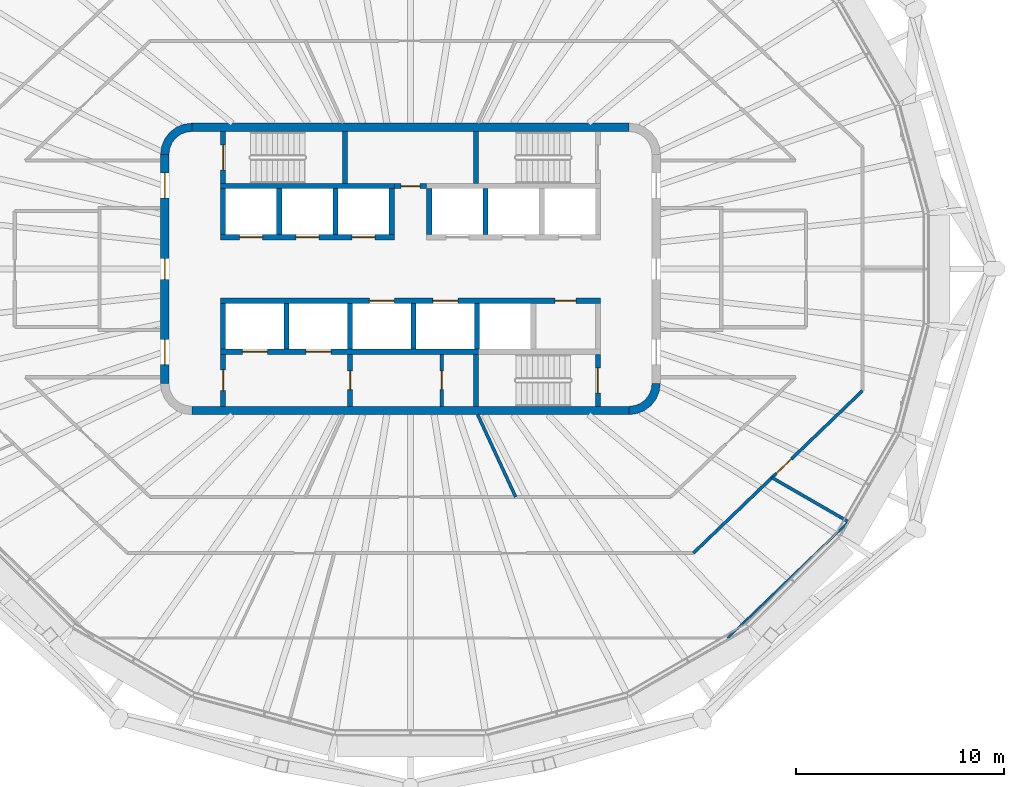
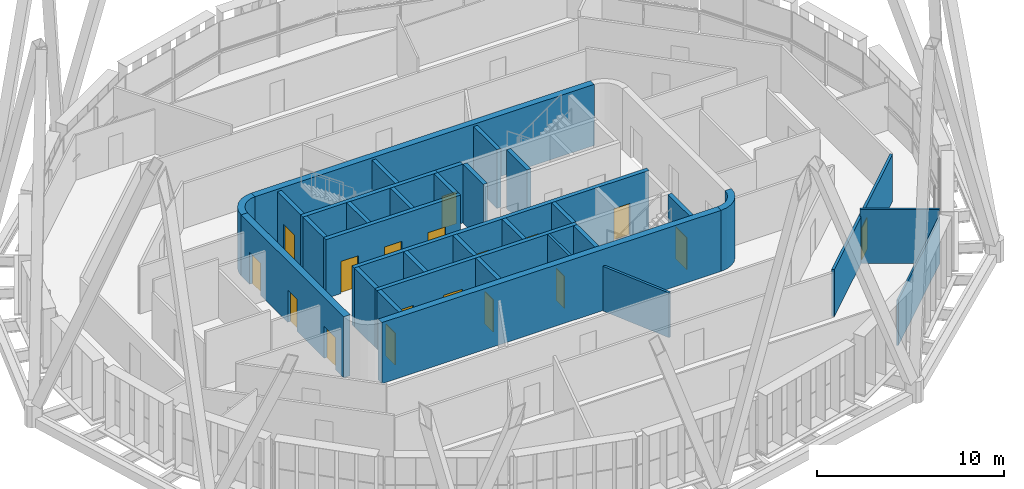
# One storey, part 9 of 18: 33 walls, 18 doors, 18 openings.
"""IFC4 building model written with IfcOpenShell, lengths in metres."""

import ifcopenshell
import ifcopenshell.guid

model = None  # the IFC model being written
_history = None  # IfcOwnerHistory: only IFC2X3 demands one
_inside = {}  # id of a spatial element -> (the spatial element, [elements in it])
_under = {}  # id of a project, library or spatial element -> (it, [spatial elements below it])
_declared = {}  # id of a project -> (the project, [libraries it declares])
_typed = {}  # id of a type object -> (the type object, [elements of that type])
_made_of = {}  # id of a material, layer set ... -> (it, [elements and type objects made of it])


def new_model(schema):
    """Start an empty IFC model of exactly this schema.

    Asked for "IFC4X3", IfcOpenShell would pick the latest addendum, in which some entities
    have other attributes; the version numbers below select the first issue.
    IFC2X3 requires an IfcOwnerHistory on every rooted entity: one is made here for all.
    """
    global model, _history
    if schema == "IFC4X3":
        model = ifcopenshell.file(schema_version=(4, 3, 0, 0))
    else:
        model = ifcopenshell.file(schema=schema)
    _inside.clear()
    _under.clear()
    _declared.clear()
    _typed.clear()
    _made_of.clear()
    _history = None
    if model.schema == "IFC2X3":
        org = make("IfcOrganization", Name="unknown")
        user = make(
            "IfcPersonAndOrganization",
            ThePerson=make("IfcPerson", FamilyName="unknown"),
            TheOrganization=org,
        )
        app = make(
            "IfcApplication",
            ApplicationDeveloper=org,
            Version="unknown",
            ApplicationFullName="unknown",
            ApplicationIdentifier="unknown",
        )
        _history = make(
            "IfcOwnerHistory",
            OwningUser=user,
            OwningApplication=app,
            ChangeAction="ADDED",
            CreationDate=0,
        )
    return model


def make(cls, **values):
    """One entity of the class cls with the attributes given. An attribute that is None is left unset."""
    return model.create_entity(
        cls, **{name: value for name, value in values.items() if value is not None}
    )


def rooted(cls, **values):
    """An entity with a GlobalId (a new one), such as an element, a storey or a relation."""
    return make(cls, GlobalId=ifcopenshell.guid.new(), OwnerHistory=_history, **values)


def si_unit(unit_type, name, prefix=None):
    """IfcSIUnit, for example si_unit("LENGTHUNIT", "METRE", prefix="MILLI")."""
    return make("IfcSIUnit", UnitType=unit_type, Prefix=prefix, Name=name)


def assignment(units):
    """IfcUnitAssignment: the units of a project."""
    return None if units is None else make("IfcUnitAssignment", Units=units)


def point(xyz):
    """IfcCartesianPoint."""
    return None if xyz is None else make("IfcCartesianPoint", Coordinates=xyz)


def direction(xyz):
    """IfcDirection."""
    return None if xyz is None else make("IfcDirection", DirectionRatios=xyz)


def frame(location, z_axis=None, x_axis=None):
    """IfcAxis2Placement3D, a coordinate frame: its origin and axes. An axis left out is left unset."""
    return make(
        "IfcAxis2Placement3D",
        Location=point(location),
        Axis=direction(z_axis),
        RefDirection=direction(x_axis),
    )


def frame_2d(location, x_axis=None):
    """IfcAxis2Placement2D, a coordinate frame in the plane: its origin and x axis."""
    return make(
        "IfcAxis2Placement2D", Location=point(location), RefDirection=direction(x_axis)
    )


def origin():
    """The frame at (0, 0, 0) with its axes left unset."""
    return frame((0.0, 0.0, 0.0))


def place(relative_to, where):
    """IfcLocalPlacement: puts the frame where relative to a parent placement (None: the world)."""
    return make(
        "IfcLocalPlacement", PlacementRelTo=relative_to, RelativePlacement=where
    )


def context(
    kind, dimensions, precision=None, world=None, true_north=None, identifier=None
):
    """IfcGeometricRepresentationContext, for example the 3D "Model" context."""
    return make(
        "IfcGeometricRepresentationContext",
        ContextIdentifier=identifier,
        ContextType=kind,
        CoordinateSpaceDimension=dimensions,
        Precision=precision,
        WorldCoordinateSystem=world,
        TrueNorth=true_north,
    )


def subcontext(parent, identifier, kind, view, scale=None):
    """IfcGeometricRepresentationSubContext, for example "Body" below "Model"."""
    return make(
        "IfcGeometricRepresentationSubContext",
        ContextIdentifier=identifier,
        ContextType=kind,
        ParentContext=parent,
        TargetScale=scale,
        TargetView=view,
    )


def project(units=None, contexts=None):
    """IfcProject with its units and contexts."""
    return rooted(
        "IfcProject",
        Name="project",
        RepresentationContexts=contexts,
        UnitsInContext=assignment(units),
    )


def spatial(cls, under=None, at=None, **own):
    """A site, building, storey or space (cls), placed at a placement, below another one or the project."""
    s = rooted(cls, ObjectPlacement=at, **own)
    if under is not None:
        _under.setdefault(under.id(), (under, []))[1].append(s)
    return s


def polyline(points):
    """IfcPolyline through the points."""
    return make("IfcPolyline", Points=[point(p) for p in points])


def profile(cls, at=None, kind="AREA", **sizes):
    """A parametric profile (cls). Its sizes go by their IFC names, for example OverallWidth=200.0."""
    return make(cls, ProfileType=kind, Position=at, **sizes)


def rectangle(**sizes):
    """IfcRectangleProfileDef."""
    return profile("IfcRectangleProfileDef", **sizes)


def outline(outer, holes=None, kind="AREA"):
    """IfcArbitraryClosedProfileDef: a profile drawn as a closed curve; with holes, ...WithVoids."""
    if holes is None:
        return make("IfcArbitraryClosedProfileDef", ProfileType=kind, OuterCurve=outer)
    return make(
        "IfcArbitraryProfileDefWithVoids",
        ProfileType=kind,
        OuterCurve=outer,
        InnerCurves=holes,
    )


def extrude(swept, where, along, depth):
    """IfcExtrudedAreaSolid: the profile swept, set in the frame where, extruded along a direction by depth."""
    return make(
        "IfcExtrudedAreaSolid",
        SweptArea=swept,
        Position=where,
        ExtrudedDirection=direction(along),
        Depth=depth,
    )


def shape(context_of_items, identifier, shape_type, items):
    """IfcShapeRepresentation: the items that make up one representation, for example the "Body"."""
    return make(
        "IfcShapeRepresentation",
        ContextOfItems=context_of_items,
        RepresentationIdentifier=identifier,
        RepresentationType=shape_type,
        Items=items,
    )


def material(Name=None, Category=None):
    """IfcMaterial."""
    return make("IfcMaterial", Name=Name, Category=Category)


def layer(
    of_material, thickness, ventilated=None, Name=None, Category=None, Priority=None
):
    """IfcMaterialLayer: one layer of a wall or slab, of a material (None: an air gap)."""
    return make(
        "IfcMaterialLayer",
        Material=of_material,
        LayerThickness=thickness,
        IsVentilated=ventilated,
        Name=Name,
        Category=Category,
        Priority=Priority,
    )


def layer_set(layers, Name=None):
    """IfcMaterialLayerSet."""
    return make("IfcMaterialLayerSet", MaterialLayers=layers, LayerSetName=Name)


def made_of(thing, what):
    """Note that an element or type object is made of a material, layer set ...; save() writes the relation."""
    if what is not None:
        _made_of.setdefault(what.id(), (what, []))[1].append(thing)
    return thing


def type_object(cls, material=None, **own):
    """A type object (cls), such as IfcWallType, which elements share."""
    return made_of(rooted(cls, **own), material)


def element(
    cls,
    number,
    at=None,
    inside=None,
    cuts=None,
    type_object=None,
    material=None,
    context=None,
    identifier="Body",
    shape_type=None,
    held_by="IfcProductDefinitionShape",
    body=None,
    shapes=None,
    **own,
):
    """One element of the class cls, such as IfcWall. Its Tag is "e" and its number.

    at: its placement. inside: the storey or other place that contains it. cuts: it is an
    opening in that element (IfcRelVoidsElement). A single representation is given by context,
    identifier, shape_type and body (its items); several are given by shapes. held_by: the class
    of the entity that holds the representations. save() writes the other relations.
    """
    e = rooted(cls, Tag="e%d" % number, ObjectPlacement=at, **own)
    if body is not None:
        shapes = [shape(context, identifier, shape_type, body)]
    if shapes is not None:
        e.Representation = make(held_by, Representations=shapes)
    if inside is not None:
        _inside.setdefault(inside.id(), (inside, []))[1].append(e)
    if cuts is not None:
        rooted(
            "IfcRelVoidsElement", RelatingBuildingElement=cuts, RelatedOpeningElement=e
        )
    if type_object is not None:
        _typed.setdefault(type_object.id(), (type_object, []))[1].append(e)
    return made_of(e, material)


def fill(opening, filler):
    """IfcRelFillsElement: the door or window that sits in an opening."""
    return rooted(
        "IfcRelFillsElement",
        RelatingOpeningElement=opening,
        RelatedBuildingElement=filler,
    )


def aggregate(whole, parts):
    """IfcRelAggregates: a whole, such as a stair, and the parts it consists of."""
    return rooted("IfcRelAggregates", RelatingObject=whole, RelatedObjects=parts)


def save(model, path):
    """Write the relations noted so far, then the file.

    IfcRelAggregates (storeys below a building ...), IfcRelContainedInSpatialStructure (elements
    in a storey), IfcRelDefinesByType, IfcRelAssociatesMaterial and IfcRelDeclares: one each for
    every whole, place, type object, material and project.
    """
    for whole, parts in _under.values():
        aggregate(whole, parts)
    for where, things in _inside.values():
        rooted(
            "IfcRelContainedInSpatialStructure",
            RelatedElements=things,
            RelatingStructure=where,
        )
    for kind, things in _typed.values():
        rooted("IfcRelDefinesByType", RelatedObjects=things, RelatingType=kind)
    for what, things in _made_of.values():
        rooted("IfcRelAssociatesMaterial", RelatedObjects=things, RelatingMaterial=what)
    for by, libraries in _declared.values():
        rooted("IfcRelDeclares", RelatingContext=by, RelatedDefinitions=libraries)
    model.write(path)


model = new_model("IFC4")

# Units and contexts
model_context = context("Model", 3, precision=1e-05, world=origin(), true_north=direction((0.0, 1.0)))
body_context = subcontext(model_context, "Body", "Model", "MODEL_VIEW")
ifc_project = project(units=[si_unit("LENGTHUNIT", "METRE"), si_unit("AREAUNIT", "SQUARE_METRE"), si_unit("VOLUMEUNIT", "CUBIC_METRE"), si_unit("PLANEANGLEUNIT", "RADIAN"), si_unit("MASSUNIT", "GRAM", prefix="KILO")], contexts=[model_context])

# Site, building, storey
site_placement = place(None, origin())
site = spatial("IfcSite", under=ifc_project, at=site_placement, CompositionType="ELEMENT")
building_placement = place(site_placement, origin())
building = spatial("IfcBuilding", under=site, at=building_placement, Name="Sahrelin Media Tower", CompositionType="ELEMENT")
storey_placement = place(building_placement, frame((0.0, 0.0, 316.39990234375)))
storey = spatial("IfcBuildingStorey", under=building, at=storey_placement, Name="L70", CompositionType="ELEMENT", Elevation=316.39990234375)

# Walls
ifc_material_1 = material(Name="Concrete C60/75", Category="concrete")
ifc_layer_1 = layer(ifc_material_1, 0.39990234375)
ifc_layer_set_1 = layer_set([ifc_layer_1], Name="Core wall 400")
wall_type_1 = type_object("IfcWallType", Name="Core wall 400", PredefinedType="SHEAR", material=ifc_layer_set_1)
for number, where, z_axis, x_axis, name in (
    (1, (-10.5, 6.800048828125, 0.0), (0.0, 0.0, 1.0), (1.0, 0.0, 0.0), "Core wall N L70"),
    (2, (-10.5, -6.800048828125, 0.0), (0.0, 0.0, 1.0), (1.0, 0.0, 0.0), "Core wall S L70"),
):
    element("IfcWall", number, at=place(storey_placement, frame(where, z_axis=z_axis, x_axis=x_axis)), inside=storey, type_object=wall_type_1, Name=name, PredefinedType="SHEAR", context=body_context, shape_type="SweptSolid", body=[
        extrude(rectangle(XDim=21.0, YDim=0.39990234375, at=frame_2d((10.5, 0.0))), origin(), (0.0, 0.0, 1.0), 4.0),
    ])

# Wall, openings, doors
wall_1_placement = place(storey_placement, frame((-11.800048828125, -5.5, 0.0), z_axis=(0.0, 0.0, 1.0), x_axis=(0.0, 1.0, 0.0)))
wall_1 = element("IfcWall", 3, at=wall_1_placement, inside=storey, type_object=wall_type_1, Name="Core wall W L70", PredefinedType="SHEAR", context=body_context, shape_type="SweptSolid", body=[
    extrude(rectangle(XDim=11.0, YDim=0.39990234375, at=frame_2d((5.5, 0.0))), origin(), (0.0, 0.0, 1.0), 4.0),
])
opening_1_placement = place(wall_1_placement, frame((5.0, 0.0, 0.0)))
opening_1 = element("IfcOpeningElement", 4, at=opening_1_placement, cuts=wall_1, Name="Opening L70-D09", PredefinedType="OPENING", context=body_context, shape_type="SweptSolid", body=[
    extrude(rectangle(XDim=1.0, YDim=2.10009765625, at=frame_2d((0.5, 1.050048828125))), frame((0.0, 0.199951171875, 0.0), z_axis=(0.0, -1.0, 0.0), x_axis=(1.0, 0.0, 0.0)), (0.0, 0.0, 1.0), 0.39990234375),
])
opening_2_placement = place(wall_1_placement, frame((0.89990234375, 0.0, 0.0)))
opening_2 = element("IfcOpeningElement", 5, at=opening_2_placement, cuts=wall_1, Name="Opening L70-D11", PredefinedType="OPENING", context=body_context, shape_type="SweptSolid", body=[
    extrude(rectangle(XDim=1.199951171875, YDim=2.10009765625, at=frame_2d((0.60009765625, 1.050048828125))), frame((0.0, 0.199951171875, 0.0), z_axis=(0.0, -1.0, 0.0), x_axis=(1.0, 0.0, 0.0)), (0.0, 0.0, 1.0), 0.39990234375),
])
opening_3_placement = place(wall_1_placement, frame((8.89990234375, 0.0, 0.0)))
opening_3 = element("IfcOpeningElement", 6, at=opening_3_placement, cuts=wall_1, Name="Opening L70-D12", PredefinedType="OPENING", context=body_context, shape_type="SweptSolid", body=[
    extrude(rectangle(XDim=1.199951171875, YDim=2.10009765625, at=frame_2d((0.60009765625, 1.050048828125))), frame((0.0, 0.199951171875, 0.0), z_axis=(0.0, -1.0, 0.0), x_axis=(1.0, 0.0, 0.0)), (0.0, 0.0, 1.0), 0.39990234375),
])
ifc_material_2 = material(Name="Steel fire door leaf", Category="steel")
door_type_1 = type_object("IfcDoorType", Name="Fire door 1000 x 2100 EI 60", OperationType="NOTDEFINED", PredefinedType="DOOR", material=ifc_material_2)
door_1_placement = place(opening_1_placement, origin())
door_1 = element("IfcDoor", 7, at=door_1_placement, inside=storey, type_object=door_type_1, Name="Core room door", OperationType="SINGLE_SWING_RIGHT", OverallHeight=2.10009765625, OverallWidth=1.0, PredefinedType="DOOR", context=body_context, shape_type="SweptSolid", body=[
    extrude(rectangle(XDim=1.0, YDim=2.10009765625, at=frame_2d((0.5, 1.050048828125))), frame((0.0, 0.02490234375, 0.0), z_axis=(0.0, -1.0, 0.0), x_axis=(1.0, 0.0, 0.0)), (0.0, 0.0, 1.0), 0.050048828125),
])
fill(opening_1, door_1)
door_type_2 = type_object("IfcDoorType", Name="Lobby door 1200 x 2100 EI 60", OperationType="NOTDEFINED", PredefinedType="DOOR", material=ifc_material_2)
door_2_placement = place(opening_2_placement, origin())
door_2 = element("IfcDoor", 8, at=door_2_placement, inside=storey, type_object=door_type_2, Name="Lobby door", OperationType="SINGLE_SWING_LEFT", OverallHeight=2.10009765625, OverallWidth=1.199951171875, PredefinedType="DOOR", context=body_context, shape_type="SweptSolid", body=[
    extrude(rectangle(XDim=1.199951171875, YDim=2.10009765625, at=frame_2d((0.60009765625, 1.050048828125))), frame((0.0, 0.02490234375, 0.0), z_axis=(0.0, -1.0, 0.0), x_axis=(1.0, 0.0, 0.0)), (0.0, 0.0, 1.0), 0.050048828125),
])
fill(opening_2, door_2)
door_3_placement = place(opening_3_placement, origin())
door_3 = element("IfcDoor", 9, at=door_3_placement, inside=storey, type_object=door_type_2, Name="Lobby door", OperationType="SINGLE_SWING_LEFT", OverallHeight=2.10009765625, OverallWidth=1.199951171875, PredefinedType="DOOR", context=body_context, shape_type="SweptSolid", body=[
    extrude(rectangle(XDim=1.199951171875, YDim=2.10009765625, at=frame_2d((0.60009765625, 1.050048828125))), frame((0.0, 0.02490234375, 0.0), z_axis=(0.0, -1.0, 0.0), x_axis=(1.0, 0.0, 0.0)), (0.0, 0.0, 1.0), 0.050048828125),
])
fill(opening_3, door_3)

# Walls
placement = place(storey_placement, origin())
element("IfcWall", 10, at=placement, inside=storey, type_object=wall_type_1, Name="Core wall corner NW L70", PredefinedType="SHEAR", context=body_context, shape_type="SweptSolid", body=[
    extrude(outline(polyline([(-12.0, 5.5), (-11.596435546875, 5.5), (-11.55908203125, 5.78369140625), (-11.44970703125, 6.04833984375), (-11.275390625, 6.275390625), (-11.04833984375, 6.44970703125), (-10.78369140625, 6.55908203125), (-10.5, 6.596435546875), (-10.5, 7.0), (-10.88818359375, 6.948974609375), (-11.25, 6.799072265625), (-11.560791015625, 6.560791015625), (-11.799072265625, 6.25), (-11.948974609375, 5.88818359375), (-12.0, 5.5)])), origin(), (0.0, 0.0, 1.0), 4.0),
])
element("IfcWall", 11, at=placement, inside=storey, type_object=wall_type_1, Name="Core wall corner SE L70", PredefinedType="SHEAR", context=body_context, shape_type="SweptSolid", body=[
    extrude(outline(polyline([(12.0, -5.5), (11.596435546875, -5.5), (11.55908203125, -5.78369140625), (11.44970703125, -6.04833984375), (11.275390625, -6.275390625), (11.04833984375, -6.44970703125), (10.78369140625, -6.55908203125), (10.5, -6.596435546875), (10.5, -7.0), (10.88818359375, -6.948974609375), (11.25, -6.799072265625), (11.560791015625, -6.560791015625), (11.799072265625, -6.25), (11.948974609375, -5.88818359375), (12.0, -5.5)])), origin(), (0.0, 0.0, 1.0), 4.0),
])

# Wall, opening, door
ifc_material_3 = material(Name="Fire-rated gypsum board partition")
ifc_layer_2 = layer(ifc_material_3, 0.25)
ifc_layer_set_2 = layer_set([ifc_layer_2], Name="Fire-rated lobby wall 250")
wall_type_2 = type_object("IfcWallType", Name="Fire-rated lobby wall 250", PredefinedType="PARTITIONING", material=ifc_layer_set_2)
wall_4_placement = place(storey_placement, frame((-0.77490234375, 3.97509765625, 0.0), z_axis=(0.0, 0.0, 1.0), x_axis=(1.0, 0.0, 0.0)))
wall_4 = element("IfcWall", 12, at=wall_4_placement, inside=storey, type_object=wall_type_2, Name="Core lobby wall", PredefinedType="PARTITIONING", context=body_context, shape_type="SweptSolid", body=[
    extrude(rectangle(XDim=1.5498046875, YDim=0.25, at=frame_2d((0.77490234375, 0.0))), origin(), (0.0, 0.0, 1.0), 3.85009765625),
])
opening_4_placement = place(wall_4_placement, frame((0.324951171875, 0.0, 0.0)))
opening_4 = element("IfcOpeningElement", 13, at=opening_4_placement, cuts=wall_4, Name="Opening L70-D06", PredefinedType="OPENING", context=body_context, shape_type="SweptSolid", body=[
    extrude(rectangle(XDim=0.89990234375, YDim=2.10009765625, at=frame_2d((0.449951171875, 1.050048828125))), frame((0.0, 0.125, 0.0), z_axis=(0.0, -1.0, 0.0), x_axis=(1.0, 0.0, 0.0)), (0.0, 0.0, 1.0), 0.25),
])
door_type_3 = type_object("IfcDoorType", Name="Riser door 900 x 2100 EI 120", OperationType="NOTDEFINED", PredefinedType="DOOR", material=ifc_material_2)
door_4_placement = place(opening_4_placement, origin())
door_4 = element("IfcDoor", 14, at=door_4_placement, inside=storey, type_object=door_type_3, Name="Core room door", OperationType="SINGLE_SWING_LEFT", OverallHeight=2.10009765625, OverallWidth=0.89990234375, PredefinedType="DOOR", context=body_context, shape_type="SweptSolid", body=[
    extrude(rectangle(XDim=0.89990234375, YDim=2.10009765625, at=frame_2d((0.449951171875, 1.050048828125))), frame((0.0, 0.02490234375, 0.0), z_axis=(0.0, -1.0, 0.0), x_axis=(1.0, 0.0, 0.0)), (0.0, 0.0, 1.0), 0.050048828125),
])
fill(opening_4, door_4)

ifc_layer_3 = layer(ifc_material_3, 0.14990234375)
ifc_layer_set_3 = layer_set([ifc_layer_3], Name="Fire-rated partition 150")
wall_type_3 = type_object("IfcWallType", Name="Fire-rated partition 150", PredefinedType="PARTITIONING", material=ifc_layer_set_3)
wall_5_placement = place(storey_placement, frame((1.5, -6.60009765625, 0.0), z_axis=(0.0, 0.0, 1.0), x_axis=(0.0, 1.0, 0.0)))
wall_5 = element("IfcWall", 15, at=wall_5_placement, inside=storey, type_object=wall_type_3, Name="Core room fire partition", PredefinedType="PARTITIONING", context=body_context, shape_type="SweptSolid", body=[
    extrude(rectangle(XDim=2.5, YDim=0.14990234375, at=frame_2d((1.25, 0.0))), origin(), (0.0, 0.0, 1.0), 3.85009765625),
])
opening_5_placement = place(wall_5_placement, frame((0.800048828125, 0.0, 0.0)))
opening_5 = element("IfcOpeningElement", 16, at=opening_5_placement, cuts=wall_5, Name="Opening L70-D07", PredefinedType="OPENING", context=body_context, shape_type="SweptSolid", body=[
    extrude(rectangle(XDim=0.89990234375, YDim=2.10009765625, at=frame_2d((0.449951171875, 1.050048828125))), frame((0.0, 0.074951171875, 0.0), z_axis=(0.0, -1.0, 0.0), x_axis=(1.0, 0.0, 0.0)), (0.0, 0.0, 1.0), 0.14990234375),
])
door_type_4 = type_object("IfcDoorType", Name="Fire door 900 x 2100 EI 60", OperationType="NOTDEFINED", PredefinedType="DOOR", material=ifc_material_2)
door_5_placement = place(opening_5_placement, origin())
door_5 = element("IfcDoor", 17, at=door_5_placement, inside=storey, type_object=door_type_4, Name="Core room door", OperationType="SINGLE_SWING_RIGHT", OverallHeight=2.10009765625, OverallWidth=0.89990234375, PredefinedType="DOOR", context=body_context, shape_type="SweptSolid", body=[
    extrude(rectangle(XDim=0.89990234375, YDim=2.10009765625, at=frame_2d((0.449951171875, 1.050048828125))), frame((0.0, 0.02490234375, 0.0), z_axis=(0.0, -1.0, 0.0), x_axis=(1.0, 0.0, 0.0)), (0.0, 0.0, 1.0), 0.050048828125),
])
fill(opening_5, door_5)

# Walls
wall_6_placement = place(storey_placement, frame((3.22900390625, -7.0, 0.0), z_axis=(0.0, 0.0, 1.0), x_axis=(0.418762657012, -0.908095720226, 0.0)))
element("IfcWall", 18, at=wall_6_placement, inside=storey, type_object=wall_type_3, Name="Wall", PredefinedType="PARTITIONING", context=body_context, shape_type="SweptSolid", body=[
    extrude(rectangle(XDim=4.3486328125, YDim=0.14990234375, at=frame_2d((2.17431640625, 0.0))), origin(), (0.0, 0.0, 1.0), 2.927001953125),
])
wall_7_placement = place(storey_placement, frame((17.360107421875, -10.02294921875, 0.0), z_axis=(0.0, 0.0, 1.0), x_axis=(0.866027673501, -0.499996068715, 0.0)))
element("IfcWall", 19, at=wall_7_placement, inside=storey, type_object=wall_type_3, Name="Wall", PredefinedType="PARTITIONING", context=body_context, shape_type="SweptSolid", body=[
    extrude(rectangle(XDim=4.248046875, YDim=0.14990234375, at=frame_2d((2.1240234375, 0.0))), origin(), (0.0, 0.0, 1.0), 3.526611328125),
])

# Wall, opening, door
wall_8_placement = place(storey_placement, frame((13.583984375, -13.649169921875, 0.0), z_axis=(0.0, 0.0, 1.0), x_axis=(0.721260272646, 0.692664145963, 0.0)))
wall_8 = element("IfcWall", 20, at=wall_8_placement, inside=storey, type_object=wall_type_3, Name="Wall", PredefinedType="PARTITIONING", context=body_context, shape_type="SweptSolid", body=[
    extrude(rectangle(XDim=11.25244140625, YDim=0.14990234375, at=frame_2d((5.626220703125, 0.0))), origin(), (0.0, 0.0, 1.0), 3.076171875),
])
opening_6_placement = place(wall_8_placement, frame((5.528564453125, 0.0, 0.0)))
opening_6 = element("IfcOpeningElement", 21, at=opening_6_placement, cuts=wall_8, Name="Opening L70-D31", PredefinedType="OPENING", context=body_context, shape_type="SweptSolid", body=[
    extrude(rectangle(XDim=1.0, YDim=2.10009765625, at=frame_2d((0.5, 1.050048828125))), frame((0.0, 0.074951171875, 0.0), z_axis=(0.0, -1.0, 0.0), x_axis=(1.0, 0.0, 0.0)), (0.0, 0.0, 1.0), 0.14990234375),
])
door_6_placement = place(opening_6_placement, origin())
door_6 = element("IfcDoor", 22, at=door_6_placement, inside=storey, type_object=door_type_1, Name="Fire door", OperationType="SINGLE_SWING_RIGHT", OverallHeight=2.10009765625, OverallWidth=1.0, PredefinedType="DOOR", context=body_context, shape_type="SweptSolid", body=[
    extrude(rectangle(XDim=1.0, YDim=2.10009765625, at=frame_2d((0.5, 1.050048828125))), frame((0.0, 0.02490234375, 0.0), z_axis=(0.0, -1.0, 0.0), x_axis=(1.0, 0.0, 0.0)), (0.0, 0.0, 1.0), 0.050048828125),
])
fill(opening_6, door_6)

ifc_layer_4 = layer(ifc_material_3, 0.25)
ifc_layer_set_4 = layer_set([ifc_layer_4], Name="Firefighting lobby wall 250")
wall_type_4 = type_object("IfcWallType", Name="Firefighting lobby wall 250", PredefinedType="PARTITIONING", material=ifc_layer_set_4)
wall_9_placement = place(storey_placement, frame((-9.0, -6.60009765625, 0.0), z_axis=(0.0, 0.0, 1.0), x_axis=(0.0, 1.0, 0.0)))
wall_9 = element("IfcWall", 23, at=wall_9_placement, inside=storey, type_object=wall_type_4, Name="Core wall", PredefinedType="PARTITIONING", context=body_context, shape_type="SweptSolid", body=[
    extrude(rectangle(XDim=2.5, YDim=0.25, at=frame_2d((1.25, 0.0))), origin(), (0.0, 0.0, 1.0), 3.85009765625),
])
opening_7_placement = place(wall_9_placement, frame((0.75, 0.0, 0.0)))
opening_7 = element("IfcOpeningElement", 24, at=opening_7_placement, cuts=wall_9, Name="Opening L70-D04", PredefinedType="OPENING", context=body_context, shape_type="SweptSolid", body=[
    extrude(rectangle(XDim=1.0, YDim=2.10009765625, at=frame_2d((0.5, 1.050048828125))), frame((0.0, 0.125, 0.0), z_axis=(0.0, -1.0, 0.0), x_axis=(1.0, 0.0, 0.0)), (0.0, 0.0, 1.0), 0.25),
])
door_type_5 = type_object("IfcDoorType", Name="Firefighting lobby door 1000 x 2100 EI 120", OperationType="NOTDEFINED", PredefinedType="DOOR", material=ifc_material_2)
door_7_placement = place(opening_7_placement, origin())
door_7 = element("IfcDoor", 25, at=door_7_placement, inside=storey, type_object=door_type_5, Name="Firefighting lobby door", OperationType="SINGLE_SWING_LEFT", OverallHeight=2.10009765625, OverallWidth=1.0, PredefinedType="DOOR", context=body_context, shape_type="SweptSolid", body=[
    extrude(rectangle(XDim=1.0, YDim=2.10009765625, at=frame_2d((0.5, 1.050048828125))), frame((0.0, 0.02490234375, 0.0), z_axis=(0.0, -1.0, 0.0), x_axis=(1.0, 0.0, 0.0)), (0.0, 0.0, 1.0), 0.050048828125),
])
fill(opening_7, door_7)

wall_10_placement = place(storey_placement, frame((-2.89990234375, -6.60009765625, 0.0), z_axis=(0.0, 0.0, 1.0), x_axis=(0.0, 1.0, 0.0)))
wall_10 = element("IfcWall", 26, at=wall_10_placement, inside=storey, type_object=wall_type_4, Name="Core wall", PredefinedType="PARTITIONING", context=body_context, shape_type="SweptSolid", body=[
    extrude(rectangle(XDim=2.5, YDim=0.25, at=frame_2d((1.25, 0.0))), origin(), (0.0, 0.0, 1.0), 3.85009765625),
])
opening_8_placement = place(wall_10_placement, frame((0.800048828125, 0.0, 0.0)))
opening_8 = element("IfcOpeningElement", 27, at=opening_8_placement, cuts=wall_10, Name="Opening L70-D05", PredefinedType="OPENING", context=body_context, shape_type="SweptSolid", body=[
    extrude(rectangle(XDim=0.89990234375, YDim=2.10009765625, at=frame_2d((0.449951171875, 1.050048828125))), frame((0.0, 0.125, 0.0), z_axis=(0.0, -1.0, 0.0), x_axis=(1.0, 0.0, 0.0)), (0.0, 0.0, 1.0), 0.25),
])
door_type_6 = type_object("IfcDoorType", Name="Firefighting lobby door 900 x 2100 EI 120", OperationType="NOTDEFINED", PredefinedType="DOOR", material=ifc_material_2)
door_8_placement = place(opening_8_placement, origin())
door_8 = element("IfcDoor", 28, at=door_8_placement, inside=storey, type_object=door_type_6, Name="Riser door", OperationType="SINGLE_SWING_RIGHT", OverallHeight=2.10009765625, OverallWidth=0.89990234375, PredefinedType="DOOR", context=body_context, shape_type="SweptSolid", body=[
    extrude(rectangle(XDim=0.89990234375, YDim=2.10009765625, at=frame_2d((0.449951171875, 1.050048828125))), frame((0.0, 0.02490234375, 0.0), z_axis=(0.0, -1.0, 0.0), x_axis=(1.0, 0.0, 0.0)), (0.0, 0.0, 1.0), 0.050048828125),
])
fill(opening_8, door_8)

# Wall, openings, doors
ifc_layer_5 = layer(ifc_material_1, 0.25)
ifc_layer_set_5 = layer_set([ifc_layer_5], Name="Lift shaft wall 250")
wall_type_5 = type_object("IfcWallType", Name="Lift shaft wall 250", PredefinedType="SOLIDWALL", material=ifc_layer_set_5)
wall_11_placement = place(storey_placement, frame((-9.125, 1.52490234375, 0.0), z_axis=(0.0, 0.0, 1.0), x_axis=(1.0, 0.0, 0.0)))
wall_11 = element("IfcWall", 29, at=wall_11_placement, inside=storey, type_object=wall_type_5, Name="Lift shaft wall", PredefinedType="SOLIDWALL", context=body_context, shape_type="SweptSolid", body=[
    extrude(rectangle(XDim=8.35009765625, YDim=0.25, at=frame_2d((4.175048828125, 0.0))), origin(), (0.0, 0.0, 1.0), 3.85009765625),
])
opening_9_placement = place(wall_11_placement, frame((0.925048828125, 0.0, 0.0)))
opening_9 = element("IfcOpeningElement", 30, at=opening_9_placement, cuts=wall_11, Name="Opening L70-LD-HR1", PredefinedType="OPENING", context=body_context, shape_type="SweptSolid", body=[
    extrude(rectangle(XDim=1.10009765625, YDim=2.10009765625, at=frame_2d((0.550048828125, 1.050048828125))), frame((0.0, 0.125, 0.0), z_axis=(0.0, -1.0, 0.0), x_axis=(1.0, 0.0, 0.0)), (0.0, 0.0, 1.0), 0.25),
])
opening_10_placement = place(wall_11_placement, frame((3.625, 0.0, 0.0)))
opening_10 = element("IfcOpeningElement", 31, at=opening_10_placement, cuts=wall_11, Name="Opening L70-LD-HR2", PredefinedType="OPENING", context=body_context, shape_type="SweptSolid", body=[
    extrude(rectangle(XDim=1.10009765625, YDim=2.10009765625, at=frame_2d((0.550048828125, 1.050048828125))), frame((0.0, 0.125, 0.0), z_axis=(0.0, -1.0, 0.0), x_axis=(1.0, 0.0, 0.0)), (0.0, 0.0, 1.0), 0.25),
])
opening_11_placement = place(wall_11_placement, frame((6.324951171875, 0.0, 0.0)))
opening_11 = element("IfcOpeningElement", 32, at=opening_11_placement, cuts=wall_11, Name="Opening L70-LD-HR3", PredefinedType="OPENING", context=body_context, shape_type="SweptSolid", body=[
    extrude(rectangle(XDim=1.10009765625, YDim=2.10009765625, at=frame_2d((0.550048828125, 1.050048828125))), frame((0.0, 0.125, 0.0), z_axis=(0.0, -1.0, 0.0), x_axis=(1.0, 0.0, 0.0)), (0.0, 0.0, 1.0), 0.25),
])
ifc_material_4 = material(Name="Stainless steel", Category="steel")
door_type_7 = type_object("IfcDoorType", Name="Lift landing door 1100 x 2100 EI 120", OperationType="DOUBLE_DOOR_SLIDING", PredefinedType="DOOR", material=ifc_material_4)
door_9_placement = place(opening_9_placement, origin())
door_9 = element("IfcDoor", 33, at=door_9_placement, inside=storey, type_object=door_type_7, Name="Lift landing door HR1", OperationType="DOUBLE_DOOR_SLIDING", OverallHeight=2.10009765625, OverallWidth=1.10009765625, PredefinedType="DOOR", context=body_context, shape_type="SweptSolid", body=[
    extrude(rectangle(XDim=1.10009765625, YDim=2.10009765625, at=frame_2d((0.550048828125, 1.050048828125))), frame((0.0, 0.02490234375, 0.0), z_axis=(0.0, -1.0, 0.0), x_axis=(1.0, 0.0, 0.0)), (0.0, 0.0, 1.0), 0.050048828125),
])
fill(opening_9, door_9)
door_10_placement = place(opening_10_placement, origin())
door_10 = element("IfcDoor", 34, at=door_10_placement, inside=storey, type_object=door_type_7, Name="Lift landing door HR2", OperationType="DOUBLE_DOOR_SLIDING", OverallHeight=2.10009765625, OverallWidth=1.10009765625, PredefinedType="DOOR", context=body_context, shape_type="SweptSolid", body=[
    extrude(rectangle(XDim=1.10009765625, YDim=2.10009765625, at=frame_2d((0.550048828125, 1.050048828125))), frame((0.0, 0.02490234375, 0.0), z_axis=(0.0, -1.0, 0.0), x_axis=(1.0, 0.0, 0.0)), (0.0, 0.0, 1.0), 0.050048828125),
])
fill(opening_10, door_10)
door_11_placement = place(opening_11_placement, origin())
door_11 = element("IfcDoor", 35, at=door_11_placement, inside=storey, type_object=door_type_7, Name="Lift landing door HR3", OperationType="DOUBLE_DOOR_SLIDING", OverallHeight=2.10009765625, OverallWidth=1.10009765625, PredefinedType="DOOR", context=body_context, shape_type="SweptSolid", body=[
    extrude(rectangle(XDim=1.10009765625, YDim=2.10009765625, at=frame_2d((0.550048828125, 1.050048828125))), frame((0.0, 0.02490234375, 0.0), z_axis=(0.0, -1.0, 0.0), x_axis=(1.0, 0.0, 0.0)), (0.0, 0.0, 1.0), 0.050048828125),
])
fill(opening_11, door_11)

# Walls
wall_12_placement = place(storey_placement, frame((-9.125, 3.97509765625, 0.0), z_axis=(0.0, 0.0, 1.0), x_axis=(1.0, 0.0, 0.0)))
element("IfcWall", 36, at=wall_12_placement, inside=storey, type_object=wall_type_5, Name="Lift shaft wall", PredefinedType="SOLIDWALL", context=body_context, shape_type="SweptSolid", body=[
    extrude(rectangle(XDim=8.35009765625, YDim=0.25, at=frame_2d((4.175048828125, 0.0))), origin(), (0.0, 0.0, 1.0), 3.85009765625),
])
for number, where, z_axis, x_axis, name in (
    (37, (-9.0, 1.64990234375, 0.0), (0.0, 0.0, 1.0), (0.0, 1.0, 0.0), "Lift shaft wall"),
    (38, (-6.300048828125, 1.64990234375, 0.0), (0.0, 0.0, 1.0), (0.0, 1.0, 0.0), "Lift shaft wall"),
    (39, (-3.60009765625, 1.64990234375, 0.0), (0.0, 0.0, 1.0), (0.0, 1.0, 0.0), "Lift shaft wall"),
    (40, (3.60009765625, 1.64990234375, 0.0), (0.0, 0.0, 1.0), (0.0, 1.0, 0.0), "Lift shaft wall"),
    (41, (-0.89990234375, 1.64990234375, 0.0), (0.0, 0.0, 1.0), (0.0, 1.0, 0.0), "Lift shaft wall"),
    (42, (0.89990234375, 1.64990234375, 0.0), (0.0, 0.0, 1.0), (0.0, 1.0, 0.0), "Lift shaft wall"),
):
    element("IfcWall", number, at=place(storey_placement, frame(where, z_axis=z_axis, x_axis=x_axis)), inside=storey, type_object=wall_type_5, Name=name, PredefinedType="SOLIDWALL", context=body_context, shape_type="SweptSolid", body=[
        extrude(rectangle(XDim=2.2001953125, YDim=0.25, at=frame_2d((1.10009765625, 0.0))), origin(), (0.0, 0.0, 1.0), 3.85009765625),
    ])

# Wall, openings, doors
wall_13_placement = place(storey_placement, frame((-9.125, -1.52490234375, 0.0), z_axis=(0.0, 0.0, 1.0), x_axis=(1.0, 0.0, 0.0)))
wall_13 = element("IfcWall", 43, at=wall_13_placement, inside=storey, type_object=wall_type_5, Name="Lift shaft wall", PredefinedType="SOLIDWALL", context=body_context, shape_type="SweptSolid", body=[
    extrude(rectangle(XDim=18.25, YDim=0.25, at=frame_2d((9.125, 0.0))), origin(), (0.0, 0.0, 1.0), 3.85009765625),
])
opening_12_placement = place(wall_13_placement, frame((7.14990234375, 0.0, 0.0)))
opening_12 = element("IfcOpeningElement", 44, at=opening_12_placement, cuts=wall_13, Name="Opening L70-LD-SV1", PredefinedType="OPENING", context=body_context, shape_type="SweptSolid", body=[
    extrude(rectangle(XDim=1.199951171875, YDim=2.10009765625, at=frame_2d((0.60009765625, 1.050048828125))), frame((0.0, 0.125, 0.0), z_axis=(0.0, -1.0, 0.0), x_axis=(1.0, 0.0, 0.0)), (0.0, 0.0, 1.0), 0.25),
])
opening_13_placement = place(wall_13_placement, frame((10.199951171875, 0.0, 0.0)))
opening_13 = element("IfcOpeningElement", 45, at=opening_13_placement, cuts=wall_13, Name="Opening L70-LD-SV2", PredefinedType="OPENING", context=body_context, shape_type="SweptSolid", body=[
    extrude(rectangle(XDim=1.199951171875, YDim=2.10009765625, at=frame_2d((0.60009765625, 1.050048828125))), frame((0.0, 0.125, 0.0), z_axis=(0.0, -1.0, 0.0), x_axis=(1.0, 0.0, 0.0)), (0.0, 0.0, 1.0), 0.25),
])
opening_14_placement = place(wall_13_placement, frame((16.074951171875, 0.0, 0.0)))
opening_14 = element("IfcOpeningElement", 46, at=opening_14_placement, cuts=wall_13, Name="Opening L70-D08", PredefinedType="OPENING", context=body_context, shape_type="SweptSolid", body=[
    extrude(rectangle(XDim=1.0, YDim=2.10009765625, at=frame_2d((0.5, 1.050048828125))), frame((0.0, 0.125, 0.0), z_axis=(0.0, -1.0, 0.0), x_axis=(1.0, 0.0, 0.0)), (0.0, 0.0, 1.0), 0.25),
])
door_12_placement = place(opening_14_placement, origin())
door_12 = element("IfcDoor", 47, at=door_12_placement, inside=storey, type_object=door_type_1, Name="Core room door", OperationType="SINGLE_SWING_RIGHT", OverallHeight=2.10009765625, OverallWidth=1.0, PredefinedType="DOOR", context=body_context, shape_type="SweptSolid", body=[
    extrude(rectangle(XDim=1.0, YDim=2.10009765625, at=frame_2d((0.5, 1.050048828125))), frame((0.0, 0.02490234375, 0.0), z_axis=(0.0, -1.0, 0.0), x_axis=(1.0, 0.0, 0.0)), (0.0, 0.0, 1.0), 0.050048828125),
])
fill(opening_14, door_12)
door_type_8 = type_object("IfcDoorType", Name="Lift landing door 1200 x 2100 EI 120", OperationType="DOUBLE_DOOR_SLIDING", PredefinedType="DOOR", material=ifc_material_4)
door_13_placement = place(opening_12_placement, origin())
door_13 = element("IfcDoor", 48, at=door_13_placement, inside=storey, type_object=door_type_8, Name="Lift landing door SV1", OperationType="DOUBLE_DOOR_SLIDING", OverallHeight=2.10009765625, OverallWidth=1.199951171875, PredefinedType="DOOR", context=body_context, shape_type="SweptSolid", body=[
    extrude(rectangle(XDim=1.199951171875, YDim=2.10009765625, at=frame_2d((0.60009765625, 1.050048828125))), frame((0.0, 0.02490234375, 0.0), z_axis=(0.0, -1.0, 0.0), x_axis=(1.0, 0.0, 0.0)), (0.0, 0.0, 1.0), 0.050048828125),
])
fill(opening_12, door_13)
door_14_placement = place(opening_13_placement, origin())
door_14 = element("IfcDoor", 49, at=door_14_placement, inside=storey, type_object=door_type_8, Name="Lift landing door SV2", OperationType="DOUBLE_DOOR_SLIDING", OverallHeight=2.10009765625, OverallWidth=1.199951171875, PredefinedType="DOOR", context=body_context, shape_type="SweptSolid", body=[
    extrude(rectangle(XDim=1.199951171875, YDim=2.10009765625, at=frame_2d((0.60009765625, 1.050048828125))), frame((0.0, 0.02490234375, 0.0), z_axis=(0.0, -1.0, 0.0), x_axis=(1.0, 0.0, 0.0)), (0.0, 0.0, 1.0), 0.050048828125),
])
fill(opening_13, door_14)

wall_14_placement = place(storey_placement, frame((-9.125, -3.97509765625, 0.0), z_axis=(0.0, 0.0, 1.0), x_axis=(1.0, 0.0, 0.0)))
wall_14 = element("IfcWall", 50, at=wall_14_placement, inside=storey, type_object=wall_type_5, Name="Lift shaft wall", PredefinedType="SOLIDWALL", context=body_context, shape_type="SweptSolid", body=[
    extrude(rectangle(XDim=12.39990234375, YDim=0.25, at=frame_2d((6.199951171875, 0.0))), origin(), (0.0, 0.0, 1.0), 3.85009765625),
])
opening_15_placement = place(wall_14_placement, frame((1.050048828125, 0.0, 0.0)))
opening_15 = element("IfcOpeningElement", 51, at=opening_15_placement, cuts=wall_14, Name="Opening L70-LD-FF1", PredefinedType="OPENING", context=body_context, shape_type="SweptSolid", body=[
    extrude(rectangle(XDim=1.199951171875, YDim=2.10009765625, at=frame_2d((0.60009765625, 1.050048828125))), frame((0.0, 0.125, 0.0), z_axis=(0.0, -1.0, 0.0), x_axis=(1.0, 0.0, 0.0)), (0.0, 0.0, 1.0), 0.25),
])
opening_16_placement = place(wall_14_placement, frame((4.10009765625, 0.0, 0.0)))
opening_16 = element("IfcOpeningElement", 52, at=opening_16_placement, cuts=wall_14, Name="Opening L70-LD-FF2", PredefinedType="OPENING", context=body_context, shape_type="SweptSolid", body=[
    extrude(rectangle(XDim=1.199951171875, YDim=2.10009765625, at=frame_2d((0.60009765625, 1.050048828125))), frame((0.0, 0.125, 0.0), z_axis=(0.0, -1.0, 0.0), x_axis=(1.0, 0.0, 0.0)), (0.0, 0.0, 1.0), 0.25),
])
door_15_placement = place(opening_15_placement, origin())
door_15 = element("IfcDoor", 53, at=door_15_placement, inside=storey, type_object=door_type_8, Name="Lift landing door FF1", OperationType="DOUBLE_DOOR_SLIDING", OverallHeight=2.10009765625, OverallWidth=1.199951171875, PredefinedType="DOOR", context=body_context, shape_type="SweptSolid", body=[
    extrude(rectangle(XDim=1.199951171875, YDim=2.10009765625, at=frame_2d((0.60009765625, 1.050048828125))), frame((0.0, 0.02490234375, 0.0), z_axis=(0.0, -1.0, 0.0), x_axis=(1.0, 0.0, 0.0)), (0.0, 0.0, 1.0), 0.050048828125),
])
fill(opening_15, door_15)
door_16_placement = place(opening_16_placement, origin())
door_16 = element("IfcDoor", 54, at=door_16_placement, inside=storey, type_object=door_type_8, Name="Lift landing door FF2", OperationType="DOUBLE_DOOR_SLIDING", OverallHeight=2.10009765625, OverallWidth=1.199951171875, PredefinedType="DOOR", context=body_context, shape_type="SweptSolid", body=[
    extrude(rectangle(XDim=1.199951171875, YDim=2.10009765625, at=frame_2d((0.60009765625, 1.050048828125))), frame((0.0, 0.02490234375, 0.0), z_axis=(0.0, -1.0, 0.0), x_axis=(1.0, 0.0, 0.0)), (0.0, 0.0, 1.0), 0.050048828125),
])
fill(opening_16, door_16)

# Walls
for number, where, z_axis, x_axis, name in (
    (55, (-9.0, -3.85009765625, 0.0), (0.0, 0.0, 1.0), (0.0, 1.0, 0.0), "Lift shaft wall"),
    (56, (-5.949951171875, -3.85009765625, 0.0), (0.0, 0.0, 1.0), (0.0, 1.0, 0.0), "Lift shaft wall"),
    (57, (-2.89990234375, -3.85009765625, 0.0), (0.0, 0.0, 1.0), (0.0, 1.0, 0.0), "Lift shaft wall"),
    (58, (0.14990234375, -3.85009765625, 0.0), (0.0, 0.0, 1.0), (0.0, 1.0, 0.0), "Lift shaft wall"),
    (59, (3.199951171875, -3.85009765625, 0.0), (0.0, 0.0, 1.0), (0.0, 1.0, 0.0), "Lift shaft wall"),
):
    element("IfcWall", number, at=place(storey_placement, frame(where, z_axis=z_axis, x_axis=x_axis)), inside=storey, type_object=wall_type_5, Name=name, PredefinedType="SOLIDWALL", context=body_context, shape_type="SweptSolid", body=[
        extrude(rectangle(XDim=2.2001953125, YDim=0.25, at=frame_2d((1.10009765625, 0.0))), origin(), (0.0, 0.0, 1.0), 3.85009765625),
    ])
ifc_material_5 = material(Name="Gypsum board partition")
ifc_layer_6 = layer(ifc_material_5, 0.10009765625)
ifc_layer_set_6 = layer_set([ifc_layer_6], Name="Partition 100")
wall_type_6 = type_object("IfcWallType", Name="Partition 100", PredefinedType="PARTITIONING", material=ifc_layer_set_6)
wall_15_placement = place(storey_placement, frame((15.22607421875, -17.72900390625, 0.0), z_axis=(0.0, 0.0, 1.0), x_axis=(0.721260787097, 0.692663610273, 0.0)))
element("IfcWall", 60, at=wall_15_placement, inside=storey, type_object=wall_type_6, Name="Wall", PredefinedType="PARTITIONING", context=body_context, shape_type="SweptSolid", body=[
    extrude(rectangle(XDim=8.05908203125, YDim=0.10009765625, at=frame_2d((4.029541015625, 0.0))), origin(), (0.0, 0.0, 1.0), 2.995361328125),
])

# Wall, opening, door
ifc_layer_7 = layer(ifc_material_1, 0.25)
ifc_layer_set_7 = layer_set([ifc_layer_7], Name="Stair enclosure wall 250")
wall_type_7 = type_object("IfcWallType", Name="Stair enclosure wall 250", PredefinedType="SOLIDWALL", material=ifc_layer_set_7)
wall_16_placement = place(storey_placement, frame((-9.0, 4.10009765625, 0.0), z_axis=(0.0, 0.0, 1.0), x_axis=(0.0, 1.0, 0.0)))
wall_16 = element("IfcWall", 61, at=wall_16_placement, inside=storey, type_object=wall_type_7, Name="Stair enclosure wall", PredefinedType="SOLIDWALL", context=body_context, shape_type="SweptSolid", body=[
    extrude(rectangle(XDim=2.5, YDim=0.25, at=frame_2d((1.25, 0.0))), origin(), (0.0, 0.0, 1.0), 3.85009765625),
])
opening_17_placement = place(wall_16_placement, frame((0.64990234375, 0.0, 0.0)))
opening_17 = element("IfcOpeningElement", 62, at=opening_17_placement, cuts=wall_16, Name="Opening L70-D01", PredefinedType="OPENING", context=body_context, shape_type="SweptSolid", body=[
    extrude(rectangle(XDim=1.199951171875, YDim=2.10009765625, at=frame_2d((0.60009765625, 1.050048828125))), frame((0.0, 0.125, 0.0), z_axis=(0.0, -1.0, 0.0), x_axis=(1.0, 0.0, 0.0)), (0.0, 0.0, 1.0), 0.25),
])
door_type_9 = type_object("IfcDoorType", Name="Stair door 1200 x 2100 EI 120", OperationType="NOTDEFINED", PredefinedType="DOOR", material=ifc_material_2)
door_17_placement = place(opening_17_placement, origin())
door_17 = element("IfcDoor", 63, at=door_17_placement, inside=storey, type_object=door_type_9, Name="Stair door ST1", OperationType="SINGLE_SWING_RIGHT", OverallHeight=2.10009765625, OverallWidth=1.199951171875, PredefinedType="DOOR", context=body_context, shape_type="SweptSolid", body=[
    extrude(rectangle(XDim=1.199951171875, YDim=2.10009765625, at=frame_2d((0.60009765625, 1.050048828125))), frame((0.0, 0.02490234375, 0.0), z_axis=(0.0, -1.0, 0.0), x_axis=(1.0, 0.0, 0.0)), (0.0, 0.0, 1.0), 0.050048828125),
])
fill(opening_17, door_17)

wall_17_placement = place(storey_placement, frame((9.0, -6.60009765625, 0.0), z_axis=(0.0, 0.0, 1.0), x_axis=(0.0, 1.0, 0.0)))
wall_17 = element("IfcWall", 64, at=wall_17_placement, inside=storey, type_object=wall_type_7, Name="Stair enclosure wall", PredefinedType="SOLIDWALL", context=body_context, shape_type="SweptSolid", body=[
    extrude(rectangle(XDim=2.5, YDim=0.25, at=frame_2d((1.25, 0.0))), origin(), (0.0, 0.0, 1.0), 3.85009765625),
])
opening_18_placement = place(wall_17_placement, frame((0.64990234375, 0.0, 0.0)))
opening_18 = element("IfcOpeningElement", 65, at=opening_18_placement, cuts=wall_17, Name="Opening L70-D03", PredefinedType="OPENING", context=body_context, shape_type="SweptSolid", body=[
    extrude(rectangle(XDim=1.199951171875, YDim=2.10009765625, at=frame_2d((0.60009765625, 1.050048828125))), frame((0.0, 0.125, 0.0), z_axis=(0.0, -1.0, 0.0), x_axis=(1.0, 0.0, 0.0)), (0.0, 0.0, 1.0), 0.25),
])
door_18_placement = place(opening_18_placement, origin())
door_18 = element("IfcDoor", 66, at=door_18_placement, inside=storey, type_object=door_type_9, Name="Stair door ST2", OperationType="SINGLE_SWING_LEFT", OverallHeight=2.10009765625, OverallWidth=1.199951171875, PredefinedType="DOOR", context=body_context, shape_type="SweptSolid", body=[
    extrude(rectangle(XDim=1.199951171875, YDim=2.10009765625, at=frame_2d((0.60009765625, 1.050048828125))), frame((0.0, 0.02490234375, 0.0), z_axis=(0.0, -1.0, 0.0), x_axis=(1.0, 0.0, 0.0)), (0.0, 0.0, 1.0), 0.050048828125),
])
fill(opening_18, door_18)

# Walls
for number, where, z_axis, x_axis, name in (
    (67, (-3.14990234375, 4.10009765625, 0.0), (0.0, 0.0, 1.0), (0.0, 1.0, 0.0), "Stair enclosure wall"),
    (68, (3.14990234375, 4.10009765625, 0.0), (0.0, 0.0, 1.0), (0.0, 1.0, 0.0), "Stair enclosure wall"),
    (69, (3.14990234375, -6.60009765625, 0.0), (0.0, 0.0, 1.0), (0.0, 1.0, 0.0), "Stair enclosure wall"),
):
    element("IfcWall", number, at=place(storey_placement, frame(where, z_axis=z_axis, x_axis=x_axis)), inside=storey, type_object=wall_type_7, Name=name, PredefinedType="SOLIDWALL", context=body_context, shape_type="SweptSolid", body=[
        extrude(rectangle(XDim=2.5, YDim=0.25, at=frame_2d((1.25, 0.0))), origin(), (0.0, 0.0, 1.0), 3.85009765625),
    ])

save(model, "model.ifc")
